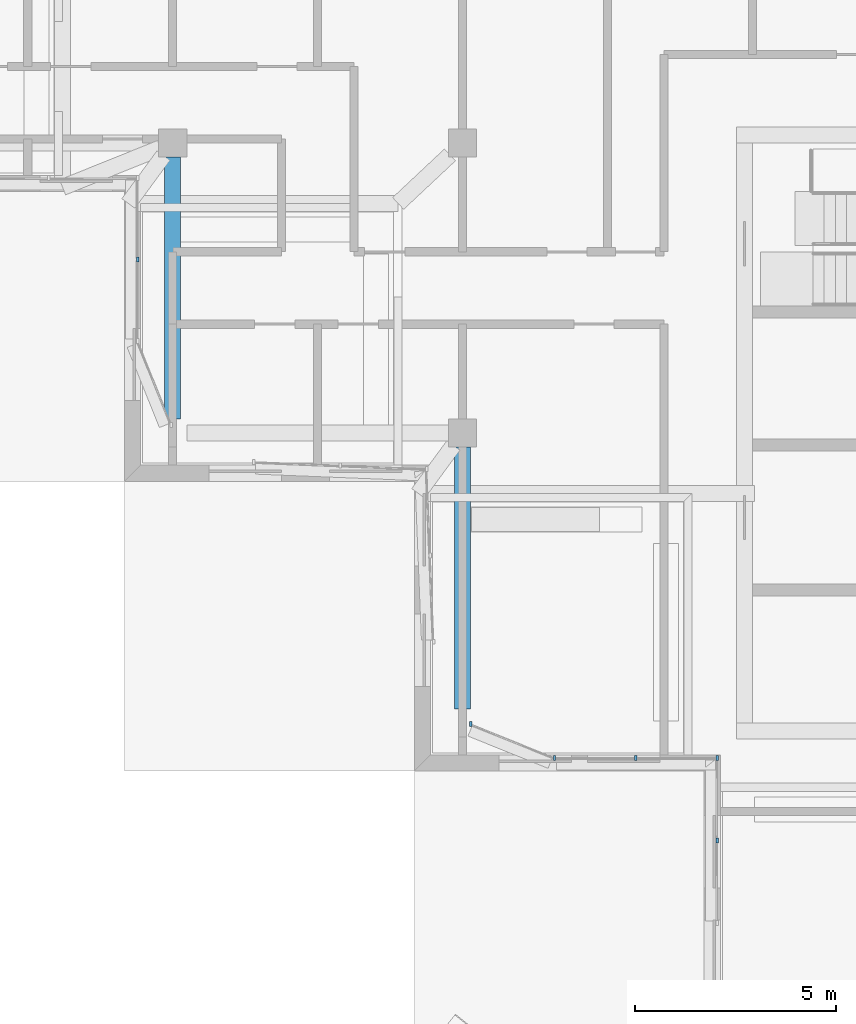
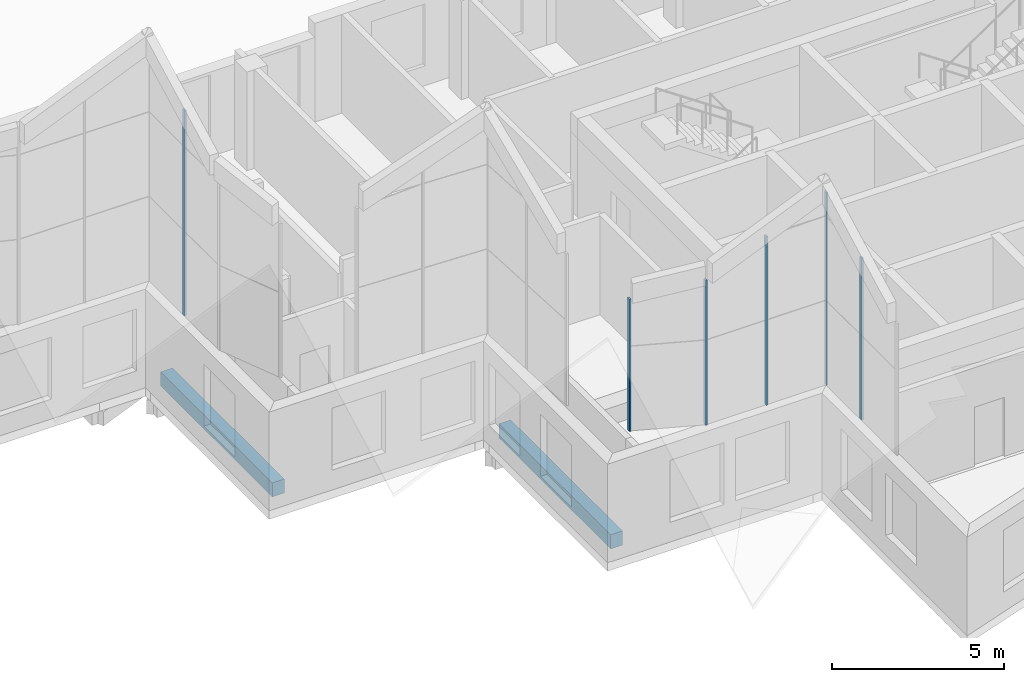
# One storey, part 3 of 20: 6 members, 2 beams, 4 elements without a shape of their own.
"""IFC4 building model written with IfcOpenShell, lengths in metres."""

from ifc_helpers import new_model, si_unit, direction, frame, origin, origin_2d, place, context, subcontext, project, spatial, rectangle, extrude, material, material_profile, profile_set, type_object, element, aggregate, save


model = new_model("IFC4")

# Units and contexts
model_context = context("Model", 3, precision=1e-05, world=origin(), true_north=direction((0.0, 1.0)))
body_context = subcontext(model_context, "Body", "Model", "MODEL_VIEW")
ifc_project = project(units=[si_unit("LENGTHUNIT", "METRE"), si_unit("AREAUNIT", "SQUARE_METRE"), si_unit("VOLUMEUNIT", "CUBIC_METRE"), si_unit("PLANEANGLEUNIT", "RADIAN"), si_unit("MASSUNIT", "GRAM", prefix="KILO")], contexts=[model_context])

# Site, building, storey
site_placement = place(None, origin())
site = spatial("IfcSite", under=ifc_project, at=site_placement, CompositionType="ELEMENT")
building_placement = place(site_placement, origin())
building = spatial("IfcBuilding", under=site, at=building_placement, Name="Windrow Commons", CompositionType="ELEMENT")
storey_placement = place(building_placement, frame((0.0, 0.0, 290.6)))
storey = spatial("IfcBuildingStorey", under=building, at=storey_placement, Name="L79", CompositionType="ELEMENT", Elevation=290.6)

# Curtain wall, members
ifc_material_1 = material(Name="Laminated glass in anodised aluminium frame", Category="aluminium")
curtain_wall_type = type_object("IfcCurtainWallType", Name="Curtain wall crown terrace screen", PredefinedType="USERDEFINED", material=ifc_material_1)
placement = place(storey_placement, origin())
curtain_wall_1 = element("IfcCurtainWall", 1, at=placement, inside=storey, type_object=curtain_wall_type, Name="Glazed crown screen L79", ObjectType="STICK", PredefinedType="USERDEFINED")
ifc_material_2 = material(Name="Anodised aluminium", Category="aluminium")
ifc_material_profile_1 = material_profile(ifc_material_2, rectangle(XDim=0.06, YDim=0.12, at=origin_2d()))
ifc_profile_set_1 = profile_set([ifc_material_profile_1], Name="Anodised aluminium")
member_type = type_object("IfcMemberType", Name="Crown screen mullion 60x120", PredefinedType="MULLION", material=ifc_profile_set_1)
member_1_placement = place(storey_placement, frame((56.73, 47.4794, 3.5), z_axis=(0.0, 0.0, 1.0), x_axis=(1.0, 0.0, 0.0)))
member_1 = element("IfcMember", 2, at=member_1_placement, type_object=member_type, Name="Crown screen mullion L79", PredefinedType="MULLION", context=body_context, shape_type="SweptSolid", body=[
    extrude(rectangle(XDim=0.06, YDim=0.12, at=origin_2d()), origin(), (0.0, 0.0, 1.0), 5.7563),
])
member_2_placement = place(storey_placement, frame((56.73, 49.53, 3.5), z_axis=(0.0, 0.0, 1.0), x_axis=(1.0, 0.0, 0.0)))
member_2 = element("IfcMember", 3, at=member_2_placement, type_object=member_type, Name="Crown screen mullion L79", PredefinedType="MULLION", context=body_context, shape_type="SweptSolid", body=[
    extrude(rectangle(XDim=0.06, YDim=0.12, at=origin_2d()), origin(), (0.0, 0.0, 1.0), 6.8364),
])
aggregate(curtain_wall_1, [member_1, member_2])

curtain_wall_2 = element("IfcCurtainWall", 4, at=placement, inside=storey, type_object=curtain_wall_type, Name="Glazed crown screen L79", ObjectType="STICK", PredefinedType="USERDEFINED")
member_3_placement = place(storey_placement, frame((54.706, 49.53, 3.5), z_axis=(0.0, 0.0, 1.0), x_axis=(1.0, 0.0, 0.0)))
member_3 = element("IfcMember", 5, at=member_3_placement, type_object=member_type, Name="Crown screen mullion L79", PredefinedType="MULLION", context=body_context, shape_type="SweptSolid", body=[
    extrude(rectangle(XDim=0.06, YDim=0.12, at=origin_2d()), origin(), (0.0, 0.0, 1.0), 5.9835),
])
member_4_placement = place(storey_placement, frame((52.682, 49.53, 3.5), z_axis=(0.0, 0.0, 1.0), x_axis=(1.0, 0.0, 0.0)))
member_4 = element("IfcMember", 6, at=member_4_placement, type_object=member_type, Name="Crown screen mullion L79", PredefinedType="MULLION", context=body_context, shape_type="SweptSolid", body=[
    extrude(rectangle(XDim=0.06, YDim=0.12, at=origin_2d()), origin(), (0.0, 0.0, 1.0), 5.1307),
])
aggregate(curtain_wall_2, [member_3, member_4])

# Curtain wall, member
curtain_wall_3 = element("IfcCurtainWall", 7, at=placement, inside=storey, type_object=curtain_wall_type, Name="Glazed crown screen L79", ObjectType="STICK", PredefinedType="USERDEFINED")
member_5_placement = place(storey_placement, frame((50.6003, 50.3678, 3.5), z_axis=(0.0, 0.0, 1.0), x_axis=(1.0, 0.0, 0.0)))
member_5 = element("IfcMember", 8, at=member_5_placement, type_object=member_type, Name="Crown screen mullion L79", PredefinedType="MULLION", context=body_context, shape_type="SweptSolid", body=[
    extrude(rectangle(XDim=0.06, YDim=0.12, at=origin_2d()), origin(), (0.0, 0.0, 1.0), 4.6948),
])
aggregate(curtain_wall_3, [member_5])

curtain_wall_4 = element("IfcCurtainWall", 9, at=placement, inside=storey, type_object=curtain_wall_type, Name="Glazed crown screen L79", ObjectType="STICK", PredefinedType="USERDEFINED")
member_6_placement = place(storey_placement, frame((42.33, 61.906, 3.5), z_axis=(0.0, 0.0, 1.0), x_axis=(1.0, 0.0, 0.0)))
member_6 = element("IfcMember", 10, at=member_6_placement, type_object=member_type, Name="Crown screen mullion L79", PredefinedType="MULLION", context=body_context, shape_type="SweptSolid", body=[
    extrude(rectangle(XDim=0.06, YDim=0.12, at=origin_2d()), origin(), (0.0, 0.0, 1.0), 7.2872),
])
aggregate(curtain_wall_4, [member_6])

# Beams
ifc_material_3 = material(Name="Concrete C40/50", Category="concrete")
ifc_material_profile_2 = material_profile(ifc_material_3, rectangle(XDim=0.4, YDim=0.5, at=origin_2d()))
ifc_profile_set_2 = profile_set([ifc_material_profile_2], Name="Concrete C40/50")
beam_type = type_object("IfcBeamType", Name="RC EDGE BEAM 400x500 C40/50", PredefinedType="SPANDREL", material=ifc_profile_set_2)
for number, where, z_axis, x_axis, name in (
    (11, (50.4, 50.75, -0.55), (0.0, 1.0, 0.0), (-1.0, 0.0, 0.0), "Edge beam L79 001"),
    (12, (43.2, 57.95, -0.55), (0.0, 1.0, 0.0), (-1.0, 0.0, 0.0), "Edge beam L79 003"),
):
    element("IfcBeam", number, at=place(storey_placement, frame(where, z_axis=z_axis, x_axis=x_axis)), inside=storey, type_object=beam_type, Name=name, PredefinedType="SPANDREL", context=body_context, shape_type="SweptSolid", body=[
        extrude(rectangle(XDim=0.4, YDim=0.5, at=origin_2d()), origin(), (0.0, 0.0, 1.0), 6.5),
    ])

save(model, "model.ifc")
